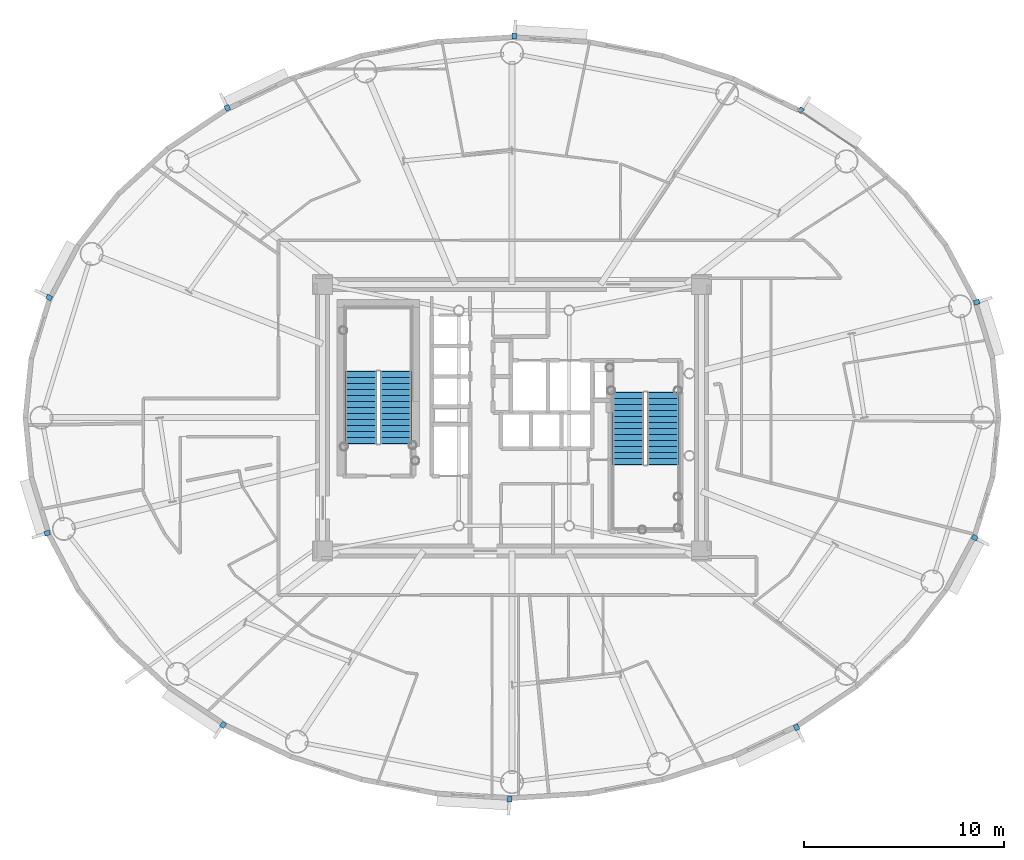
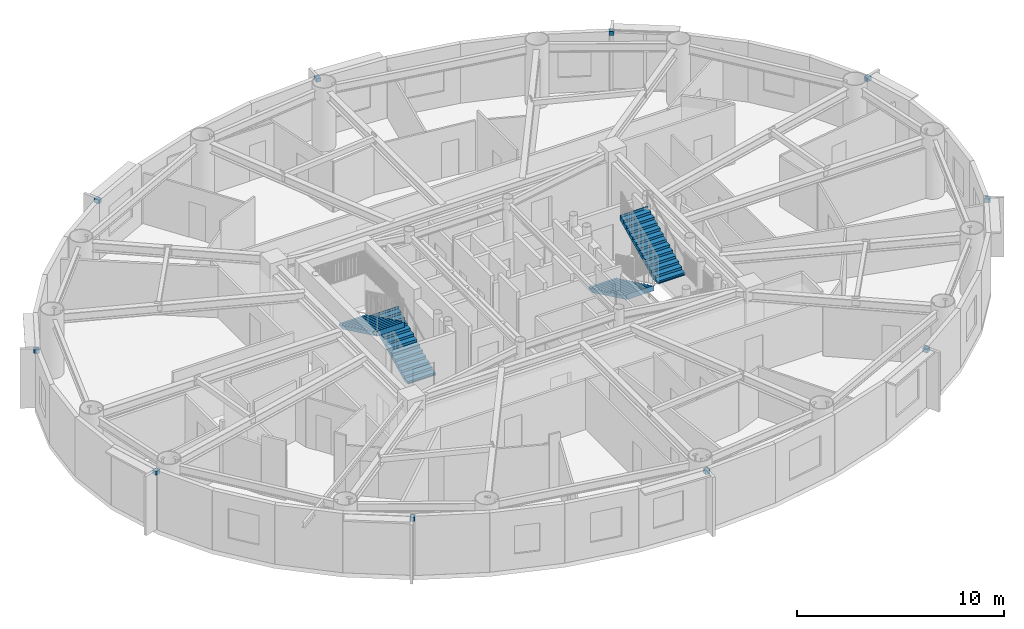
# One storey, part 14 of 21: 10 discrete accessories, 4 stair flights, 2 elements without a shape of their own.
"""IFC4 building model written with IfcOpenShell, lengths in metres."""

from ifc_helpers import new_model, si_unit, direction, frame, origin, origin_2d, place, context, subcontext, project, spatial, polyline, rectangle, outline, extrude, source, transform, mapped, material, type_object, element, aggregate, save


model = new_model("IFC4")

# Units and contexts
model_context = context("Model", 3, precision=1e-05, world=origin(), true_north=direction((0.0, 1.0)))
body_context = subcontext(model_context, "Body", "Model", "MODEL_VIEW")
ifc_project = project(units=[si_unit("LENGTHUNIT", "METRE"), si_unit("AREAUNIT", "SQUARE_METRE"), si_unit("VOLUMEUNIT", "CUBIC_METRE"), si_unit("PLANEANGLEUNIT", "RADIAN"), si_unit("MASSUNIT", "GRAM", prefix="KILO")], contexts=[model_context])

# Site, building, storey
site_placement = place(None, origin())
site = spatial("IfcSite", under=ifc_project, at=site_placement, CompositionType="ELEMENT")
building_placement = place(site_placement, origin())
building = spatial("IfcBuilding", under=site, at=building_placement, Name="Linh Dai School and Residence Tower", CompositionType="ELEMENT")
storey_placement = place(building_placement, frame((0.0, 0.0, 251.550048828125)))
storey = spatial("IfcBuildingStorey", under=building, at=storey_placement, Name="L62", CompositionType="ELEMENT", Elevation=251.550048828125)

# Stair, stair flights
ifc_material_1 = material(Name="Concrete B45 (C35/45)", Category="concrete")
stair_type = type_object("IfcStairType", Name="ST-DOG-1550-R1442", PredefinedType="HALF_TURN_STAIR", material=ifc_material_1)
stair_1_placement = place(storey_placement, origin())
stair_1 = element("IfcStair", 1, at=stair_1_placement, inside=storey, type_object=stair_type, Name="L62 Core Smokeproof Exit Stair ST1", PredefinedType="HALF_TURN_STAIR")
stair_flight_type = type_object("IfcStairFlightType", Name="STF-STR-1550-R1442", PredefinedType="STRAIGHT", material=ifc_material_1)
shared_shape_1 = source(origin(), body_context, "Body", "SweptSolid", [
    extrude(outline(polyline([(-0.02490234375, 0.0), (-0.02490234375, 0.06005859375), (0.0, 0.06005859375), (0.0, 0.144287109375), (0.300048828125, 0.144287109375), (0.300048828125, 0.28857421875), (0.60009765625, 0.28857421875), (0.60009765625, 0.4326171875), (0.89990234375, 0.4326171875), (0.89990234375, 0.576904296875), (1.199951171875, 0.576904296875), (1.199951171875, 0.72119140625), (1.5, 0.72119140625), (1.5, 0.865478515625), (1.800048828125, 0.865478515625), (1.800048828125, 1.009521484375), (2.10009765625, 1.009521484375), (2.10009765625, 1.15380859375), (2.39990234375, 1.15380859375), (2.39990234375, 1.298095703125), (2.699951171875, 1.298095703125), (2.699951171875, 1.4423828125), (3.0, 1.4423828125), (3.0, 1.58642578125), (3.300048828125, 1.58642578125), (3.300048828125, 1.730712890625), (3.60009765625, 1.730712890625), (3.60009765625, 1.875), (3.625, 1.875), (3.625, 1.564453125), (3.60009765625, 1.564453125), (0.345947265625, 0.0), (-0.02490234375, 0.0)])), frame((0.0, 0.77490234375, 0.0), z_axis=(0.0, -1.0, 0.0), x_axis=(1.0, 0.0, 0.0)), (0.0, 0.0, 1.0), 1.550048828125),
])
stair_flight_1_placement = place(storey_placement, frame((30.205078125, 25.699951171875, 0.0), z_axis=(0.0, 0.0, 1.0), x_axis=(0.0, 1.0, 0.0)))
stair_flight_1 = element("IfcStairFlight", 2, at=stair_flight_1_placement, type_object=stair_flight_type, Name="ST1 flight 1", NumberOfRisers=13, NumberOfTreads=12, PredefinedType="STRAIGHT", RiserHeight=0.144230769, TreadLength=0.3, context=body_context, shape_type="MappedRepresentation", body=[
    mapped(shared_shape_1, transform((0.0, 0.0, 0.0), x_axis=(1.0, 0.0, 0.0), y_axis=(0.0, 1.0, 0.0), z_axis=(0.0, 0.0, 1.0), scale=1.0)),
])
stair_flight_2_placement = place(storey_placement, frame((28.455078125, 29.300048828125, 1.875), z_axis=(0.0, 0.0, 1.0), x_axis=(0.0, -1.0, 0.0)))
stair_flight_2 = element("IfcStairFlight", 3, at=stair_flight_2_placement, type_object=stair_flight_type, Name="ST1 flight 2", NumberOfRisers=13, NumberOfTreads=12, PredefinedType="STRAIGHT", RiserHeight=0.144230769, TreadLength=0.3, context=body_context, shape_type="MappedRepresentation", body=[
    mapped(shared_shape_1, transform((0.0, 0.0, 0.0), x_axis=(1.0, 0.0, 0.0), y_axis=(0.0, 1.0, 0.0), z_axis=(0.0, 0.0, 1.0), scale=1.0)),
])
aggregate(stair_1, [stair_flight_1, stair_flight_2])

stair_2_placement = place(storey_placement, origin())
stair_2 = element("IfcStair", 4, at=stair_2_placement, inside=storey, type_object=stair_type, Name="L62 Core Smokeproof Exit Stair ST2", PredefinedType="HALF_TURN_STAIR")
stair_flight_3_placement = place(storey_placement, frame((41.794921875, 28.25, 0.0), z_axis=(0.0, 0.0, 1.0), x_axis=(0.0, -1.0, 0.0)))
stair_flight_3 = element("IfcStairFlight", 5, at=stair_flight_3_placement, type_object=stair_flight_type, Name="ST2 flight 1", NumberOfRisers=13, NumberOfTreads=12, PredefinedType="STRAIGHT", RiserHeight=0.144230769, TreadLength=0.3, context=body_context, shape_type="MappedRepresentation", body=[
    mapped(shared_shape_1, transform((0.0, 0.0, 0.0), x_axis=(1.0, 0.0, 0.0), y_axis=(0.0, 1.0, 0.0), z_axis=(0.0, 0.0, 1.0), scale=1.0)),
])
stair_flight_4_placement = place(storey_placement, frame((43.544921875, 24.64990234375, 1.875), z_axis=(0.0, 0.0, 1.0), x_axis=(0.0, 1.0, 0.0)))
stair_flight_4 = element("IfcStairFlight", 6, at=stair_flight_4_placement, type_object=stair_flight_type, Name="ST2 flight 2", NumberOfRisers=13, NumberOfTreads=12, PredefinedType="STRAIGHT", RiserHeight=0.144230769, TreadLength=0.3, context=body_context, shape_type="MappedRepresentation", body=[
    mapped(shared_shape_1, transform((0.0, 0.0, 0.0), x_axis=(1.0, 0.0, 0.0), y_axis=(0.0, 1.0, 0.0), z_axis=(0.0, 0.0, 1.0), scale=1.0)),
])
aggregate(stair_2, [stair_flight_3, stair_flight_4])

# Discrete accessories
ifc_material_2 = material(Name="Structural Steel S355JR", Category="steel")
discrete_accessory_type = type_object("IfcDiscreteAccessoryType", Name="ACC-BRK-S355", PredefinedType="BRACKET", material=ifc_material_2)
shared_shape_2 = source(origin(), body_context, "Body", "SweptSolid", [
    extrude(rectangle(XDim=0.280029296875, YDim=0.239990234375, at=origin_2d()), origin(), (0.0, 0.0, 1.0), 0.219970703125),
])
for number, where, z_axis, x_axis, name in (
    (7, (59.182861328125, 32.7587890625, 3.25), (0.0, 0.0, 1.0), (0.956064190994, 0.2931574026, 0.0), "L62 Facade Frame Anchor Bracket 02"),
    (8, (50.413330078125, 42.330810546875, 3.25), (0.0, 0.0, 1.0), (0.555887222025, 0.831257719597, 0.0), "L62 Facade Frame Anchor Bracket 06"),
    (9, (36.12353515625, 46.032470703125, 3.25), (0.0, 0.0, 1.0), (0.061504437922, 0.998106809974, 0.0), "L62 Facade Frame Anchor Bracket 10"),
    (10, (21.802001953125, 42.45361328125, 3.25), (0.0, 0.0, 1.0), (-0.432593941973, 0.901588864931, 0.0), "L62 Facade Frame Anchor Bracket 14"),
    (11, (12.912841796875, 32.989990234375, 3.25), (0.0, 0.0, 1.0), (-0.883928950783, 0.467621224891, 0.0), "L62 Facade Frame Anchor Bracket 18"),
    (12, (12.817138671875, 21.2412109375, 3.25), (0.0, 0.0, 1.0), (-0.956064190994, -0.2931574026, 0.0), "L62 Facade Frame Anchor Bracket 22"),
    (13, (21.586669921875, 11.669189453125, 3.25), (0.0, 0.0, 1.0), (-0.555887222025, -0.831257719597, 0.0), "L62 Facade Frame Anchor Bracket 26"),
    (14, (35.87646484375, 7.967529296875, 3.25), (0.0, 0.0, 1.0), (-0.061504437922, -0.998106809974, 0.0), "L62 Facade Frame Anchor Bracket 30"),
    (15, (50.197998046875, 11.54638671875, 3.25), (0.0, 0.0, 1.0), (0.432593941973, -0.901588864931, 0.0), "L62 Facade Frame Anchor Bracket 34"),
    (16, (59.087158203125, 21.010009765625, 3.25), (0.0, 0.0, 1.0), (0.883928950783, -0.467621224891, 0.0), "L62 Facade Frame Anchor Bracket 38"),
):
    element("IfcDiscreteAccessory", number, at=place(storey_placement, frame(where, z_axis=z_axis, x_axis=x_axis)), inside=storey, type_object=discrete_accessory_type, Name=name, PredefinedType="BRACKET", context=body_context, shape_type="MappedRepresentation", body=[
        mapped(shared_shape_2, transform((0.0, 0.0, 0.0), x_axis=(1.0, 0.0, 0.0), y_axis=(0.0, 1.0, 0.0), z_axis=(0.0, 0.0, 1.0), scale=1.0)),
    ])

save(model, "model.ifc")
